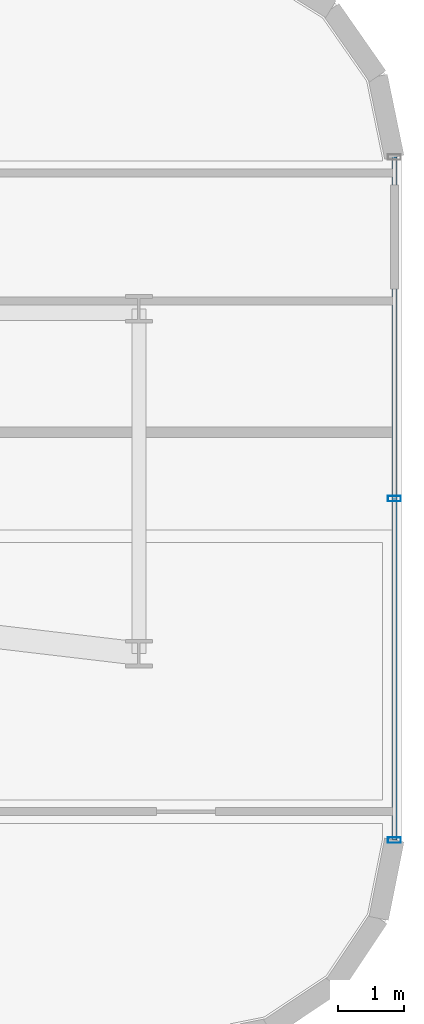
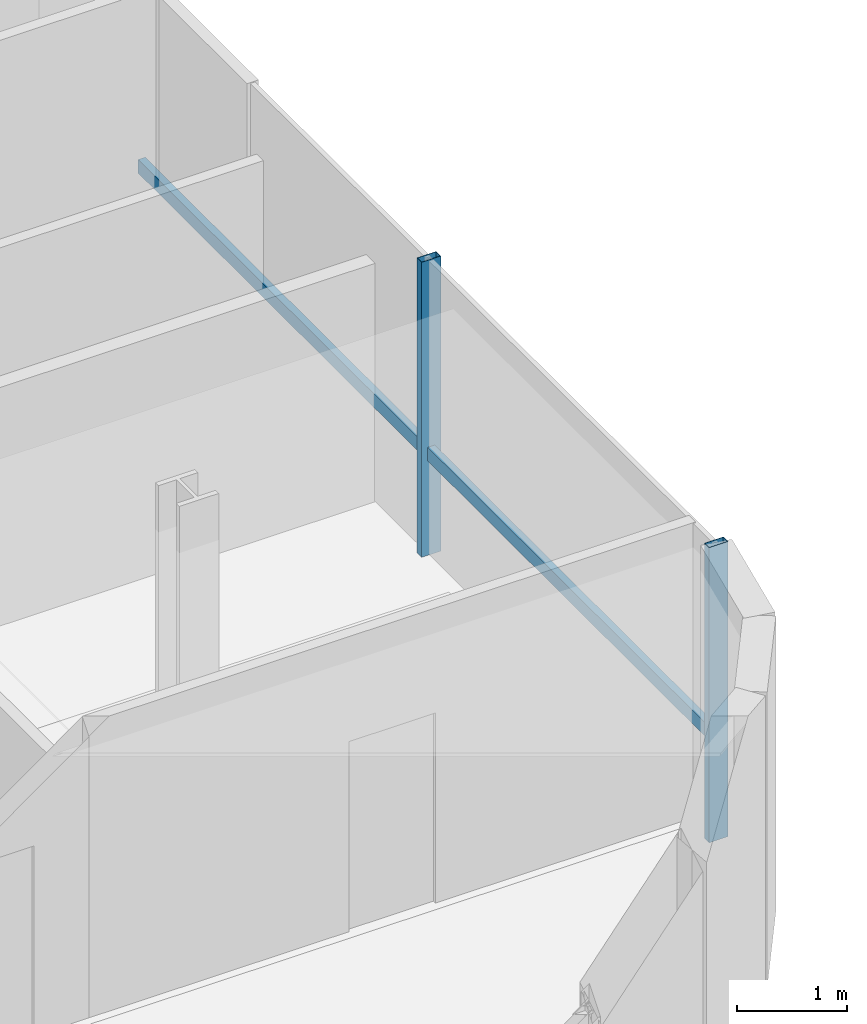
# One storey, part 12 of 24: 3 members, 1 element without a shape of its own.
"""IFC4 building model written with IfcOpenShell, lengths in metres."""

import ifcopenshell
import ifcopenshell.guid

model = None  # the IFC model being written
_history = None  # IfcOwnerHistory: only IFC2X3 demands one
_inside = {}  # id of a spatial element -> (the spatial element, [elements in it])
_under = {}  # id of a project, library or spatial element -> (it, [spatial elements below it])
_declared = {}  # id of a project -> (the project, [libraries it declares])
_typed = {}  # id of a type object -> (the type object, [elements of that type])
_made_of = {}  # id of a material, layer set ... -> (it, [elements and type objects made of it])


def new_model(schema):
    """Start an empty IFC model of exactly this schema.

    Asked for "IFC4X3", IfcOpenShell would pick the latest addendum, in which some entities
    have other attributes; the version numbers below select the first issue.
    IFC2X3 requires an IfcOwnerHistory on every rooted entity: one is made here for all.
    """
    global model, _history
    if schema == "IFC4X3":
        model = ifcopenshell.file(schema_version=(4, 3, 0, 0))
    else:
        model = ifcopenshell.file(schema=schema)
    _inside.clear()
    _under.clear()
    _declared.clear()
    _typed.clear()
    _made_of.clear()
    _history = None
    if model.schema == "IFC2X3":
        org = make("IfcOrganization", Name="unknown")
        user = make(
            "IfcPersonAndOrganization",
            ThePerson=make("IfcPerson", FamilyName="unknown"),
            TheOrganization=org,
        )
        app = make(
            "IfcApplication",
            ApplicationDeveloper=org,
            Version="unknown",
            ApplicationFullName="unknown",
            ApplicationIdentifier="unknown",
        )
        _history = make(
            "IfcOwnerHistory",
            OwningUser=user,
            OwningApplication=app,
            ChangeAction="ADDED",
            CreationDate=0,
        )
    return model


def make(cls, **values):
    """One entity of the class cls with the attributes given. An attribute that is None is left unset."""
    return model.create_entity(
        cls, **{name: value for name, value in values.items() if value is not None}
    )


def rooted(cls, **values):
    """An entity with a GlobalId (a new one), such as an element, a storey or a relation."""
    return make(cls, GlobalId=ifcopenshell.guid.new(), OwnerHistory=_history, **values)


def si_unit(unit_type, name, prefix=None):
    """IfcSIUnit, for example si_unit("LENGTHUNIT", "METRE", prefix="MILLI")."""
    return make("IfcSIUnit", UnitType=unit_type, Prefix=prefix, Name=name)


def assignment(units):
    """IfcUnitAssignment: the units of a project."""
    return None if units is None else make("IfcUnitAssignment", Units=units)


def point(xyz):
    """IfcCartesianPoint."""
    return None if xyz is None else make("IfcCartesianPoint", Coordinates=xyz)


def direction(xyz):
    """IfcDirection."""
    return None if xyz is None else make("IfcDirection", DirectionRatios=xyz)


def frame(location, z_axis=None, x_axis=None):
    """IfcAxis2Placement3D, a coordinate frame: its origin and axes. An axis left out is left unset."""
    return make(
        "IfcAxis2Placement3D",
        Location=point(location),
        Axis=direction(z_axis),
        RefDirection=direction(x_axis),
    )


def frame_2d(location, x_axis=None):
    """IfcAxis2Placement2D, a coordinate frame in the plane: its origin and x axis."""
    return make(
        "IfcAxis2Placement2D", Location=point(location), RefDirection=direction(x_axis)
    )


def origin():
    """The frame at (0, 0, 0) with its axes left unset."""
    return frame((0.0, 0.0, 0.0))


def origin_2d():
    """The frame at (0, 0) in the plane with its x axis left unset."""
    return frame_2d((0.0, 0.0))


def place(relative_to, where):
    """IfcLocalPlacement: puts the frame where relative to a parent placement (None: the world)."""
    return make(
        "IfcLocalPlacement", PlacementRelTo=relative_to, RelativePlacement=where
    )


def context(
    kind, dimensions, precision=None, world=None, true_north=None, identifier=None
):
    """IfcGeometricRepresentationContext, for example the 3D "Model" context."""
    return make(
        "IfcGeometricRepresentationContext",
        ContextIdentifier=identifier,
        ContextType=kind,
        CoordinateSpaceDimension=dimensions,
        Precision=precision,
        WorldCoordinateSystem=world,
        TrueNorth=true_north,
    )


def subcontext(parent, identifier, kind, view, scale=None):
    """IfcGeometricRepresentationSubContext, for example "Body" below "Model"."""
    return make(
        "IfcGeometricRepresentationSubContext",
        ContextIdentifier=identifier,
        ContextType=kind,
        ParentContext=parent,
        TargetScale=scale,
        TargetView=view,
    )


def project(units=None, contexts=None):
    """IfcProject with its units and contexts."""
    return rooted(
        "IfcProject",
        Name="project",
        RepresentationContexts=contexts,
        UnitsInContext=assignment(units),
    )


def spatial(cls, under=None, at=None, **own):
    """A site, building, storey or space (cls), placed at a placement, below another one or the project."""
    s = rooted(cls, ObjectPlacement=at, **own)
    if under is not None:
        _under.setdefault(under.id(), (under, []))[1].append(s)
    return s


def profile(cls, at=None, kind="AREA", **sizes):
    """A parametric profile (cls). Its sizes go by their IFC names, for example OverallWidth=200.0."""
    return make(cls, ProfileType=kind, Position=at, **sizes)


def hollow_rectangle(**sizes):
    """IfcRectangleHollowProfileDef."""
    return profile("IfcRectangleHollowProfileDef", **sizes)


def extrude(swept, where, along, depth):
    """IfcExtrudedAreaSolid: the profile swept, set in the frame where, extruded along a direction by depth."""
    return make(
        "IfcExtrudedAreaSolid",
        SweptArea=swept,
        Position=where,
        ExtrudedDirection=direction(along),
        Depth=depth,
    )


def shape(context_of_items, identifier, shape_type, items):
    """IfcShapeRepresentation: the items that make up one representation, for example the "Body"."""
    return make(
        "IfcShapeRepresentation",
        ContextOfItems=context_of_items,
        RepresentationIdentifier=identifier,
        RepresentationType=shape_type,
        Items=items,
    )


def source(mapping_origin, context_of_items, identifier, shape_type, items):
    """IfcRepresentationMap: a shape defined once, which mapped items show again and again."""
    return make(
        "IfcRepresentationMap",
        MappingOrigin=mapping_origin,
        MappedRepresentation=shape(context_of_items, identifier, shape_type, items),
    )


def transform(
    local_origin,
    x_axis=None,
    y_axis=None,
    z_axis=None,
    scale=None,
    scale2=None,
    scale3=None,
    uniform=True,
):
    """IfcCartesianTransformationOperator3D, or its non-uniform kind. x_axis, y_axis, z_axis: its Axis1, 2, 3."""
    if uniform:
        return make(
            "IfcCartesianTransformationOperator3D",
            Axis1=direction(x_axis),
            Axis2=direction(y_axis),
            LocalOrigin=point(local_origin),
            Scale=scale,
            Axis3=direction(z_axis),
        )
    return make(
        "IfcCartesianTransformationOperator3DnonUniform",
        Axis1=direction(x_axis),
        Axis2=direction(y_axis),
        LocalOrigin=point(local_origin),
        Scale=scale,
        Axis3=direction(z_axis),
        Scale2=scale2,
        Scale3=scale3,
    )


def mapped(mapping_source, mapping_target):
    """IfcMappedItem: shows the shape of a source again, moved by a transform."""
    return make(
        "IfcMappedItem", MappingSource=mapping_source, MappingTarget=mapping_target
    )


def material(Name=None, Category=None):
    """IfcMaterial."""
    return make("IfcMaterial", Name=Name, Category=Category)


def material_profile(
    of_material, cross_section, Name=None, Category=None, Priority=None
):
    """IfcMaterialProfile: a cross section and its material."""
    return make(
        "IfcMaterialProfile",
        Name=Name,
        Material=of_material,
        Profile=cross_section,
        Priority=Priority,
        Category=Category,
    )


def profile_set(profiles, Name=None, composite=None):
    """IfcMaterialProfileSet."""
    return make(
        "IfcMaterialProfileSet",
        Name=Name,
        MaterialProfiles=profiles,
        CompositeProfile=composite,
    )


def made_of(thing, what):
    """Note that an element or type object is made of a material, layer set ...; save() writes the relation."""
    if what is not None:
        _made_of.setdefault(what.id(), (what, []))[1].append(thing)
    return thing


def type_object(cls, material=None, **own):
    """A type object (cls), such as IfcWallType, which elements share."""
    return made_of(rooted(cls, **own), material)


def element(
    cls,
    number,
    at=None,
    inside=None,
    cuts=None,
    type_object=None,
    material=None,
    context=None,
    identifier="Body",
    shape_type=None,
    held_by="IfcProductDefinitionShape",
    body=None,
    shapes=None,
    **own,
):
    """One element of the class cls, such as IfcWall. Its Tag is "e" and its number.

    at: its placement. inside: the storey or other place that contains it. cuts: it is an
    opening in that element (IfcRelVoidsElement). A single representation is given by context,
    identifier, shape_type and body (its items); several are given by shapes. held_by: the class
    of the entity that holds the representations. save() writes the other relations.
    """
    e = rooted(cls, Tag="e%d" % number, ObjectPlacement=at, **own)
    if body is not None:
        shapes = [shape(context, identifier, shape_type, body)]
    if shapes is not None:
        e.Representation = make(held_by, Representations=shapes)
    if inside is not None:
        _inside.setdefault(inside.id(), (inside, []))[1].append(e)
    if cuts is not None:
        rooted(
            "IfcRelVoidsElement", RelatingBuildingElement=cuts, RelatedOpeningElement=e
        )
    if type_object is not None:
        _typed.setdefault(type_object.id(), (type_object, []))[1].append(e)
    return made_of(e, material)


def aggregate(whole, parts):
    """IfcRelAggregates: a whole, such as a stair, and the parts it consists of."""
    return rooted("IfcRelAggregates", RelatingObject=whole, RelatedObjects=parts)


def save(model, path):
    """Write the relations noted so far, then the file.

    IfcRelAggregates (storeys below a building ...), IfcRelContainedInSpatialStructure (elements
    in a storey), IfcRelDefinesByType, IfcRelAssociatesMaterial and IfcRelDeclares: one each for
    every whole, place, type object, material and project.
    """
    for whole, parts in _under.values():
        aggregate(whole, parts)
    for where, things in _inside.values():
        rooted(
            "IfcRelContainedInSpatialStructure",
            RelatedElements=things,
            RelatingStructure=where,
        )
    for kind, things in _typed.values():
        rooted("IfcRelDefinesByType", RelatedObjects=things, RelatingType=kind)
    for what, things in _made_of.values():
        rooted("IfcRelAssociatesMaterial", RelatedObjects=things, RelatingMaterial=what)
    for by, libraries in _declared.values():
        rooted("IfcRelDeclares", RelatingContext=by, RelatedDefinitions=libraries)
    model.write(path)


model = new_model("IFC4")

# Units and contexts
model_context = context("Model", 3, precision=1e-05, world=origin(), true_north=direction((0.0, 1.0)))
body_context = subcontext(model_context, "Body", "Model", "MODEL_VIEW")
ifc_project = project(units=[si_unit("LENGTHUNIT", "METRE"), si_unit("AREAUNIT", "SQUARE_METRE"), si_unit("VOLUMEUNIT", "CUBIC_METRE"), si_unit("PLANEANGLEUNIT", "RADIAN"), si_unit("MASSUNIT", "GRAM", prefix="KILO")], contexts=[model_context])

# Site, building, storey
site_placement = place(None, origin())
site = spatial("IfcSite", under=ifc_project, at=site_placement, CompositionType="ELEMENT")
building_placement = place(site_placement, origin())
building = spatial("IfcBuilding", under=site, at=building_placement, Name="Valdorenza Pilgrim Sanctuary Tower", CompositionType="ELEMENT")
storey_placement = place(building_placement, frame((0.0, 0.0, 230.0)))
storey = spatial("IfcBuildingStorey", under=building, at=storey_placement, Name="L59", CompositionType="ELEMENT", Elevation=230.0)

# Curtain wall, members
ifc_material_1 = material(Name="Curtain-wall IGU glazing", Category="glass")
curtain_wall_type = type_object("IfcCurtainWallType", Name="CW-SYS-02", PredefinedType="NOTDEFINED", material=ifc_material_1)
curtain_wall_placement = place(storey_placement, origin())
curtain_wall = element("IfcCurtainWall", 1, at=curtain_wall_placement, inside=storey, type_object=curtain_wall_type, Name="L59 Curtain Wall CW-L59-1-11", PredefinedType="NOTDEFINED")
ifc_material_2 = material(Name="Anodised aluminium AW-6060", Category="aluminium")
ifc_material_profile_1 = material_profile(ifc_material_2, hollow_rectangle(XDim=0.0849609375, YDim=0.199951171875, WallThickness=0.0048828125, at=origin_2d()), Name="ALU-M 200x85x5")
ifc_profile_set_1 = profile_set([ifc_material_profile_1], Name="Anodised aluminium AW-6060")
member_type_1 = type_object("IfcMemberType", Name="CW-MUL-02", PredefinedType="MULLION", material=ifc_profile_set_1)
shared_shape_1 = source(origin(), body_context, "Body", "SweptSolid", [
    extrude(hollow_rectangle(XDim=0.0849609375, YDim=0.199951171875, WallThickness=0.0048828125, at=origin_2d()), origin(), (0.0, 0.0, 1.0), 3.260009765625),
])
member_1_placement = place(storey_placement, frame((0.389892578125, 11.9111328125, 0.0), z_axis=(0.0, 0.0, 1.0), x_axis=(0.0, -1.0, 0.0)))
member_1 = element("IfcMember", 2, at=member_1_placement, type_object=member_type_1, Name="CW-L59-1-11 Mullion 2", PredefinedType="MULLION", context=body_context, shape_type="MappedRepresentation", body=[
    mapped(shared_shape_1, transform((0.0, 0.0, 0.0), x_axis=(1.0, 0.0, 0.0), y_axis=(0.0, 1.0, 0.0), z_axis=(0.0, 0.0, 1.0), scale=1.0)),
])
member_2_placement = place(storey_placement, frame((0.389892578125, 6.710693359375, 0.0), z_axis=(0.0, 0.0, 1.0), x_axis=(0.0, -1.0, 0.0)))
member_2 = element("IfcMember", 3, at=member_2_placement, type_object=member_type_1, Name="CW-L59-1-11 Mullion 3", PredefinedType="MULLION", context=body_context, shape_type="MappedRepresentation", body=[
    mapped(shared_shape_1, transform((0.0, 0.0, 0.0), x_axis=(1.0, 0.0, 0.0), y_axis=(0.0, 1.0, 0.0), z_axis=(0.0, 0.0, 1.0), scale=1.0)),
])
ifc_material_profile_2 = material_profile(ifc_material_2, hollow_rectangle(XDim=0.074951171875, YDim=0.14990234375, WallThickness=0.00390625, at=origin_2d()), Name="ALU-T 150x75x4")
ifc_profile_set_2 = profile_set([ifc_material_profile_2], Name="Anodised aluminium AW-6060")
member_type_2 = type_object("IfcMemberType", Name="CW-TRN-02", PredefinedType="USERDEFINED", material=ifc_profile_set_2)
shared_shape_2 = source(origin(), body_context, "Body", "SweptSolid", [
    extrude(hollow_rectangle(XDim=0.074951171875, YDim=0.14990234375, WallThickness=0.00390625, at=origin_2d()), origin(), (0.0, 0.0, 1.0), 10.400634765625),
])
member_3_placement = place(storey_placement, frame((0.389892578125, 17.111328125, 1.1201171875), z_axis=(0.0, -1.0, 0.0), x_axis=(1.0, 0.0, 0.0)))
member_3 = element("IfcMember", 4, at=member_3_placement, type_object=member_type_2, Name="CW-L59-1-11 Transom 1", ObjectType="TRANSOM", PredefinedType="USERDEFINED", context=body_context, shape_type="MappedRepresentation", body=[
    mapped(shared_shape_2, transform((0.0, 0.0, 0.0), x_axis=(1.0, 0.0, 0.0), y_axis=(0.0, 1.0, 0.0), z_axis=(0.0, 0.0, 1.0), scale=1.0)),
])
aggregate(curtain_wall, [member_1, member_2, member_3])

save(model, "model.ifc")
